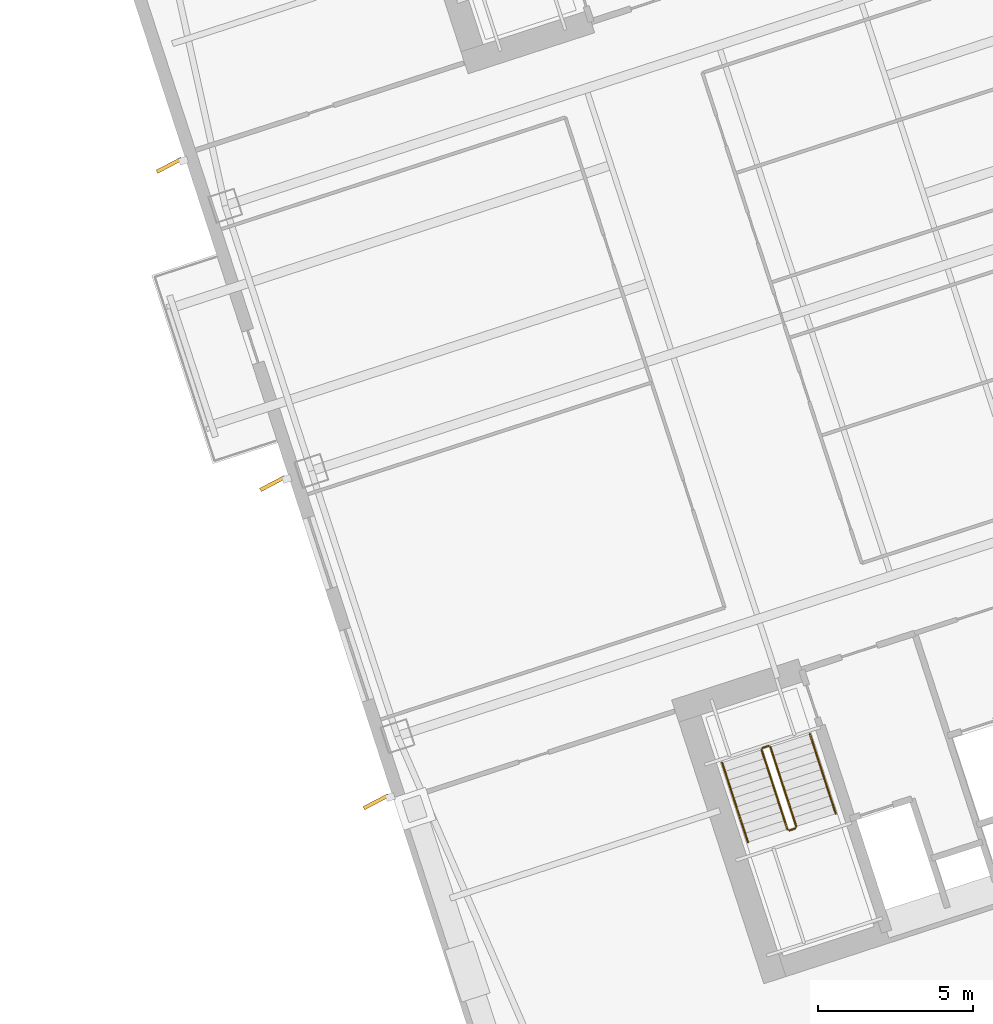
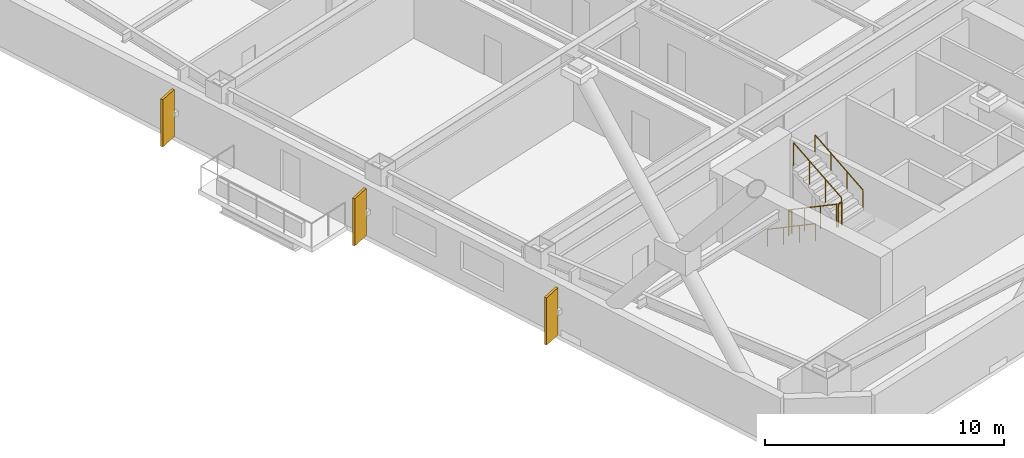
# One storey, part 18 of 19: 6 railings, 3 shading devices.
"""IFC4 building model written with IfcOpenShell, lengths in metres."""

import ifcopenshell
import ifcopenshell.guid

model = None  # the IFC model being written
_history = None  # IfcOwnerHistory: only IFC2X3 demands one
_inside = {}  # id of a spatial element -> (the spatial element, [elements in it])
_under = {}  # id of a project, library or spatial element -> (it, [spatial elements below it])
_declared = {}  # id of a project -> (the project, [libraries it declares])
_typed = {}  # id of a type object -> (the type object, [elements of that type])
_made_of = {}  # id of a material, layer set ... -> (it, [elements and type objects made of it])


def new_model(schema):
    """Start an empty IFC model of exactly this schema.

    Asked for "IFC4X3", IfcOpenShell would pick the latest addendum, in which some entities
    have other attributes; the version numbers below select the first issue.
    IFC2X3 requires an IfcOwnerHistory on every rooted entity: one is made here for all.
    """
    global model, _history
    if schema == "IFC4X3":
        model = ifcopenshell.file(schema_version=(4, 3, 0, 0))
    else:
        model = ifcopenshell.file(schema=schema)
    _inside.clear()
    _under.clear()
    _declared.clear()
    _typed.clear()
    _made_of.clear()
    _history = None
    if model.schema == "IFC2X3":
        org = make("IfcOrganization", Name="unknown")
        user = make(
            "IfcPersonAndOrganization",
            ThePerson=make("IfcPerson", FamilyName="unknown"),
            TheOrganization=org,
        )
        app = make(
            "IfcApplication",
            ApplicationDeveloper=org,
            Version="unknown",
            ApplicationFullName="unknown",
            ApplicationIdentifier="unknown",
        )
        _history = make(
            "IfcOwnerHistory",
            OwningUser=user,
            OwningApplication=app,
            ChangeAction="ADDED",
            CreationDate=0,
        )
    return model


def make(cls, **values):
    """One entity of the class cls with the attributes given. An attribute that is None is left unset."""
    return model.create_entity(
        cls, **{name: value for name, value in values.items() if value is not None}
    )


def rooted(cls, **values):
    """An entity with a GlobalId (a new one), such as an element, a storey or a relation."""
    return make(cls, GlobalId=ifcopenshell.guid.new(), OwnerHistory=_history, **values)


def si_unit(unit_type, name, prefix=None):
    """IfcSIUnit, for example si_unit("LENGTHUNIT", "METRE", prefix="MILLI")."""
    return make("IfcSIUnit", UnitType=unit_type, Prefix=prefix, Name=name)


def assignment(units):
    """IfcUnitAssignment: the units of a project."""
    return None if units is None else make("IfcUnitAssignment", Units=units)


def point(xyz):
    """IfcCartesianPoint."""
    return None if xyz is None else make("IfcCartesianPoint", Coordinates=xyz)


def direction(xyz):
    """IfcDirection."""
    return None if xyz is None else make("IfcDirection", DirectionRatios=xyz)


def frame(location, z_axis=None, x_axis=None):
    """IfcAxis2Placement3D, a coordinate frame: its origin and axes. An axis left out is left unset."""
    return make(
        "IfcAxis2Placement3D",
        Location=point(location),
        Axis=direction(z_axis),
        RefDirection=direction(x_axis),
    )


def frame_2d(location, x_axis=None):
    """IfcAxis2Placement2D, a coordinate frame in the plane: its origin and x axis."""
    return make(
        "IfcAxis2Placement2D", Location=point(location), RefDirection=direction(x_axis)
    )


def origin():
    """The frame at (0, 0, 0) with its axes left unset."""
    return frame((0.0, 0.0, 0.0))


def origin_2d():
    """The frame at (0, 0) in the plane with its x axis left unset."""
    return frame_2d((0.0, 0.0))


def place(relative_to, where):
    """IfcLocalPlacement: puts the frame where relative to a parent placement (None: the world)."""
    return make(
        "IfcLocalPlacement", PlacementRelTo=relative_to, RelativePlacement=where
    )


def context(
    kind, dimensions, precision=None, world=None, true_north=None, identifier=None
):
    """IfcGeometricRepresentationContext, for example the 3D "Model" context."""
    return make(
        "IfcGeometricRepresentationContext",
        ContextIdentifier=identifier,
        ContextType=kind,
        CoordinateSpaceDimension=dimensions,
        Precision=precision,
        WorldCoordinateSystem=world,
        TrueNorth=true_north,
    )


def subcontext(parent, identifier, kind, view, scale=None):
    """IfcGeometricRepresentationSubContext, for example "Body" below "Model"."""
    return make(
        "IfcGeometricRepresentationSubContext",
        ContextIdentifier=identifier,
        ContextType=kind,
        ParentContext=parent,
        TargetScale=scale,
        TargetView=view,
    )


def project(units=None, contexts=None):
    """IfcProject with its units and contexts."""
    return rooted(
        "IfcProject",
        Name="project",
        RepresentationContexts=contexts,
        UnitsInContext=assignment(units),
    )


def spatial(cls, under=None, at=None, **own):
    """A site, building, storey or space (cls), placed at a placement, below another one or the project."""
    s = rooted(cls, ObjectPlacement=at, **own)
    if under is not None:
        _under.setdefault(under.id(), (under, []))[1].append(s)
    return s


def profile(cls, at=None, kind="AREA", **sizes):
    """A parametric profile (cls). Its sizes go by their IFC names, for example OverallWidth=200.0."""
    return make(cls, ProfileType=kind, Position=at, **sizes)


def rectangle(**sizes):
    """IfcRectangleProfileDef."""
    return profile("IfcRectangleProfileDef", **sizes)


def circle(**sizes):
    """IfcCircleProfileDef."""
    return profile("IfcCircleProfileDef", **sizes)


def extrude(swept, where, along, depth):
    """IfcExtrudedAreaSolid: the profile swept, set in the frame where, extruded along a direction by depth."""
    return make(
        "IfcExtrudedAreaSolid",
        SweptArea=swept,
        Position=where,
        ExtrudedDirection=direction(along),
        Depth=depth,
    )


def shape(context_of_items, identifier, shape_type, items):
    """IfcShapeRepresentation: the items that make up one representation, for example the "Body"."""
    return make(
        "IfcShapeRepresentation",
        ContextOfItems=context_of_items,
        RepresentationIdentifier=identifier,
        RepresentationType=shape_type,
        Items=items,
    )


def material(Name=None, Category=None):
    """IfcMaterial."""
    return make("IfcMaterial", Name=Name, Category=Category)


def layer(
    of_material, thickness, ventilated=None, Name=None, Category=None, Priority=None
):
    """IfcMaterialLayer: one layer of a wall or slab, of a material (None: an air gap)."""
    return make(
        "IfcMaterialLayer",
        Material=of_material,
        LayerThickness=thickness,
        IsVentilated=ventilated,
        Name=Name,
        Category=Category,
        Priority=Priority,
    )


def layer_set(layers, Name=None):
    """IfcMaterialLayerSet."""
    return make("IfcMaterialLayerSet", MaterialLayers=layers, LayerSetName=Name)


def made_of(thing, what):
    """Note that an element or type object is made of a material, layer set ...; save() writes the relation."""
    if what is not None:
        _made_of.setdefault(what.id(), (what, []))[1].append(thing)
    return thing


def type_object(cls, material=None, **own):
    """A type object (cls), such as IfcWallType, which elements share."""
    return made_of(rooted(cls, **own), material)


def element(
    cls,
    number,
    at=None,
    inside=None,
    cuts=None,
    type_object=None,
    material=None,
    context=None,
    identifier="Body",
    shape_type=None,
    held_by="IfcProductDefinitionShape",
    body=None,
    shapes=None,
    **own,
):
    """One element of the class cls, such as IfcWall. Its Tag is "e" and its number.

    at: its placement. inside: the storey or other place that contains it. cuts: it is an
    opening in that element (IfcRelVoidsElement). A single representation is given by context,
    identifier, shape_type and body (its items); several are given by shapes. held_by: the class
    of the entity that holds the representations. save() writes the other relations.
    """
    e = rooted(cls, Tag="e%d" % number, ObjectPlacement=at, **own)
    if body is not None:
        shapes = [shape(context, identifier, shape_type, body)]
    if shapes is not None:
        e.Representation = make(held_by, Representations=shapes)
    if inside is not None:
        _inside.setdefault(inside.id(), (inside, []))[1].append(e)
    if cuts is not None:
        rooted(
            "IfcRelVoidsElement", RelatingBuildingElement=cuts, RelatedOpeningElement=e
        )
    if type_object is not None:
        _typed.setdefault(type_object.id(), (type_object, []))[1].append(e)
    return made_of(e, material)


def aggregate(whole, parts):
    """IfcRelAggregates: a whole, such as a stair, and the parts it consists of."""
    return rooted("IfcRelAggregates", RelatingObject=whole, RelatedObjects=parts)


def save(model, path):
    """Write the relations noted so far, then the file.

    IfcRelAggregates (storeys below a building ...), IfcRelContainedInSpatialStructure (elements
    in a storey), IfcRelDefinesByType, IfcRelAssociatesMaterial and IfcRelDeclares: one each for
    every whole, place, type object, material and project.
    """
    for whole, parts in _under.values():
        aggregate(whole, parts)
    for where, things in _inside.values():
        rooted(
            "IfcRelContainedInSpatialStructure",
            RelatedElements=things,
            RelatingStructure=where,
        )
    for kind, things in _typed.values():
        rooted("IfcRelDefinesByType", RelatedObjects=things, RelatingType=kind)
    for what, things in _made_of.values():
        rooted("IfcRelAssociatesMaterial", RelatedObjects=things, RelatingMaterial=what)
    for by, libraries in _declared.values():
        rooted("IfcRelDeclares", RelatingContext=by, RelatedDefinitions=libraries)
    model.write(path)


model = new_model("IFC4")

# Units and contexts
model_context = context("Model", 3, precision=1e-05, world=origin(), true_north=direction((0.0, 1.0)))
body_context = subcontext(model_context, "Body", "Model", "MODEL_VIEW")
ifc_project = project(units=[si_unit("LENGTHUNIT", "METRE"), si_unit("AREAUNIT", "SQUARE_METRE"), si_unit("VOLUMEUNIT", "CUBIC_METRE"), si_unit("PLANEANGLEUNIT", "RADIAN"), si_unit("MASSUNIT", "GRAM", prefix="KILO")], contexts=[model_context])

# Site, building, storey
site_placement = place(None, origin())
site = spatial("IfcSite", under=ifc_project, at=site_placement, CompositionType="ELEMENT")
building_placement = place(site_placement, origin())
building = spatial("IfcBuilding", under=site, at=building_placement, Name="Qiaolan Cultural Towers", CompositionType="ELEMENT")
storey_placement = place(building_placement, frame((0.0, 0.0, 78.199951171875)))
storey = spatial("IfcBuildingStorey", under=building, at=storey_placement, Name="L19", CompositionType="ELEMENT", Elevation=78.199951171875)

# Railings
ifc_material_1 = material(Name="Galvanized Painted Steel Stair Guardrail", Category="steel")
railing_type_1 = type_object("IfcRailingType", Name="RL-STAIR-GRD", PredefinedType="GUARDRAIL", material=ifc_material_1)
railing_1_placement = place(storey_placement, frame((88.60205078125, 19.82421875, 0.172607421875)))
element("IfcRailing", 1, at=railing_1_placement, inside=storey, type_object=railing_type_1, Name="L19 ST-E1 stair guard 1", PredefinedType="GUARDRAIL", context=body_context, shape_type="SweptSolid", body=[
    extrude(circle(Radius=0.02392578125, at=origin_2d()), frame((0.0, 0.0, 1.17578125), z_axis=(0.267925668498, -0.824471088726, 0.498460891159), x_axis=(0.951043371037, 0.309057448393, 0.0)), (0.0, 0.0, 1.0), 3.114501953125),
    extrude(circle(Radius=0.02099609375, at=origin_2d()), origin(), (0.0, 0.0, 1.0), 1.15185546875),
    extrude(circle(Radius=0.02099609375, at=origin_2d()), frame((0.278076171875, -0.85595703125, 0.517578125)), (0.0, 0.0, 1.0), 1.15185546875),
    extrude(circle(Radius=0.02099609375, at=origin_2d()), frame((0.556396484375, -1.7119140625, 1.034912109375)), (0.0, 0.0, 1.0), 1.15185546875),
    extrude(circle(Radius=0.02099609375, at=origin_2d()), frame((0.83447265625, -2.56787109375, 1.552490234375)), (0.0, 0.0, 1.0), 1.15185546875),
])
railing_2_placement = place(storey_placement, frame((89.49951171875, 17.224365234375, 1.72509765625)))
element("IfcRailing", 2, at=railing_2_placement, inside=storey, type_object=railing_type_1, Name="L19 ST-E1 stair guard 2", PredefinedType="GUARDRAIL", context=body_context, shape_type="SweptSolid", body=[
    extrude(circle(Radius=0.02392578125, at=origin_2d()), frame((0.0, 0.0, 1.17578125), z_axis=(0.951096855055, 0.308892816854, 0.0), x_axis=(-0.308892816854, 0.951096855055, 0.0)), (0.0, 0.0, 1.0), 0.199951171875),
    extrude(circle(Radius=0.02099609375, at=origin_2d()), origin(), (0.0, 0.0, 1.0), 1.15185546875),
    extrude(circle(Radius=0.02099609375, at=origin_2d()), frame((0.190185546875, 0.061767578125, 0.0)), (0.0, 0.0, 1.0), 1.15185546875),
])
railing_3_placement = place(storey_placement, frame((89.721923828125, 17.34912109375, 1.8974609375)))
element("IfcRailing", 3, at=railing_3_placement, inside=storey, type_object=railing_type_1, Name="L19 ST-E1 stair guard 3", PredefinedType="GUARDRAIL", context=body_context, shape_type="SweptSolid", body=[
    extrude(circle(Radius=0.02392578125, at=origin_2d()), frame((0.0, 0.0, 1.17578125), z_axis=(-0.267925668498, 0.824471088726, 0.498460891159), x_axis=(-0.951043371037, -0.309057448393, 0.0)), (0.0, 0.0, 1.0), 3.114501953125),
    extrude(circle(Radius=0.02099609375, at=origin_2d()), origin(), (0.0, 0.0, 1.0), 1.15185546875),
    extrude(circle(Radius=0.02099609375, at=origin_2d()), frame((-0.278076171875, 0.85595703125, 0.517578125)), (0.0, 0.0, 1.0), 1.15185546875),
    extrude(circle(Radius=0.02099609375, at=origin_2d()), frame((-0.556396484375, 1.7119140625, 1.034912109375)), (0.0, 0.0, 1.0), 1.15185546875),
    extrude(circle(Radius=0.02099609375, at=origin_2d()), frame((-0.83447265625, 2.56787109375, 1.552490234375)), (0.0, 0.0, 1.0), 1.15185546875),
])
railing_4_placement = place(storey_placement, frame((88.63427734375, 19.88720703125, 0.0)))
element("IfcRailing", 4, at=railing_4_placement, inside=storey, type_object=railing_type_1, Name="L19 ST-E1 stair guard 4", PredefinedType="GUARDRAIL", context=body_context, shape_type="SweptSolid", body=[
    extrude(circle(Radius=0.02392578125, at=origin_2d()), frame((0.0, 0.0, 1.17578125), z_axis=(0.951096855055, 0.308892816854, 0.0), x_axis=(-0.308892816854, 0.951096855055, 0.0)), (0.0, 0.0, 1.0), 0.199951171875),
    extrude(circle(Radius=0.02099609375, at=origin_2d()), origin(), (0.0, 0.0, 1.0), 1.15185546875),
    extrude(circle(Radius=0.02099609375, at=origin_2d()), frame((0.190185546875, 0.061767578125, 0.0)), (0.0, 0.0, 1.0), 1.15185546875),
])
ifc_material_2 = material(Name="Stainless Steel S30408 Tubular Handrail", Category="steel")
railing_type_2 = type_object("IfcRailingType", Name="RL-STAIR-HR", PredefinedType="HANDRAIL", material=ifc_material_2)
railing_5_placement = place(storey_placement, frame((87.32763671875, 19.41015625, 0.172607421875)))
element("IfcRailing", 5, at=railing_5_placement, inside=storey, type_object=railing_type_2, Name="L19 ST-E1 stair handrail 1", PredefinedType="HANDRAIL", context=body_context, shape_type="SweptSolid", body=[
    extrude(circle(Radius=0.02392578125, at=origin_2d()), frame((0.0, 0.0, 0.8759765625), z_axis=(0.267925668498, -0.824471088726, 0.498460891159), x_axis=(0.951043371037, 0.309057448393, 0.0)), (0.0, 0.0, 1.0), 3.114501953125),
    extrude(circle(Radius=0.02099609375, at=origin_2d()), origin(), (0.0, 0.0, 1.0), 0.851806640625),
    extrude(circle(Radius=0.02099609375, at=origin_2d()), frame((0.278076171875, -0.85595703125, 0.517578125)), (0.0, 0.0, 1.0), 0.851806640625),
    extrude(circle(Radius=0.02099609375, at=origin_2d()), frame((0.556396484375, -1.7119140625, 1.034912109375)), (0.0, 0.0, 1.0), 0.851806640625),
    extrude(circle(Radius=0.02099609375, at=origin_2d()), frame((0.83447265625, -2.56787109375, 1.552490234375)), (0.0, 0.0, 1.0), 0.851806640625),
])
railing_6_placement = place(storey_placement, frame((90.996337890625, 17.76318359375, 1.8974609375)))
element("IfcRailing", 6, at=railing_6_placement, inside=storey, type_object=railing_type_2, Name="L19 ST-E1 stair handrail 2", PredefinedType="HANDRAIL", context=body_context, shape_type="SweptSolid", body=[
    extrude(circle(Radius=0.02392578125, at=origin_2d()), frame((0.0, 0.0, 0.8759765625), z_axis=(-0.267925668498, 0.824471088726, 0.498460891159), x_axis=(-0.951043371037, -0.309057448393, 0.0)), (0.0, 0.0, 1.0), 3.114501953125),
    extrude(circle(Radius=0.02099609375, at=origin_2d()), origin(), (0.0, 0.0, 1.0), 0.851806640625),
    extrude(circle(Radius=0.02099609375, at=origin_2d()), frame((-0.278076171875, 0.85595703125, 0.517578125)), (0.0, 0.0, 1.0), 0.851806640625),
    extrude(circle(Radius=0.02099609375, at=origin_2d()), frame((-0.556396484375, 1.7119140625, 1.034912109375)), (0.0, 0.0, 1.0), 0.851806640625),
    extrude(circle(Radius=0.02099609375, at=origin_2d()), frame((-0.83447265625, 2.56787109375, 1.552490234375)), (0.0, 0.0, 1.0), 0.851806640625),
])

# Shading devices
ifc_material_3 = material(Name="Dark Basalt Honed Precast Terracotta Fin", Category="masonry")
ifc_layer = layer(ifc_material_3, 0.1201171875)
ifc_layer_set = layer_set([ifc_layer], Name="Dark Basalt Honed Precast Terracotta Fin")
shading_device_type = type_object("IfcShadingDeviceType", Name="SHD-FIN-DARK", PredefinedType="USERDEFINED", material=ifc_layer_set)
for number, where, z_axis, x_axis, name in (
    (7, (76.161376953125, 18.147705078125, 0.10009765625), (0.0, 0.0, 1.0), (0.885865233539, 0.463942655947, 0.0), "L19 T2 Expressive Precast Vertical Fin W1"),
    (8, (72.823974609375, 28.419189453125, 0.10009765625), (0.0, 0.0, 1.0), (0.885865233539, 0.463942655947, 0.0), "L19 T2 Expressive Precast Vertical Fin W2"),
    (9, (69.486572265625, 38.690673828125, 0.10009765625), (0.0, 0.0, 1.0), (0.885865233539, 0.463942655947, 0.0), "L19 T2 Expressive Precast Vertical Fin W3"),
):
    element("IfcShadingDevice", number, at=place(storey_placement, frame(where, z_axis=z_axis, x_axis=x_axis)), inside=storey, type_object=shading_device_type, Name=name, ObjectType="FIN", PredefinedType="USERDEFINED", context=body_context, shape_type="SweptSolid", body=[
        extrude(rectangle(XDim=0.89990234375, YDim=0.1201171875, at=origin_2d()), origin(), (0.0, 0.0, 1.0), 2.409912109375),
    ])

save(model, "model.ifc")
